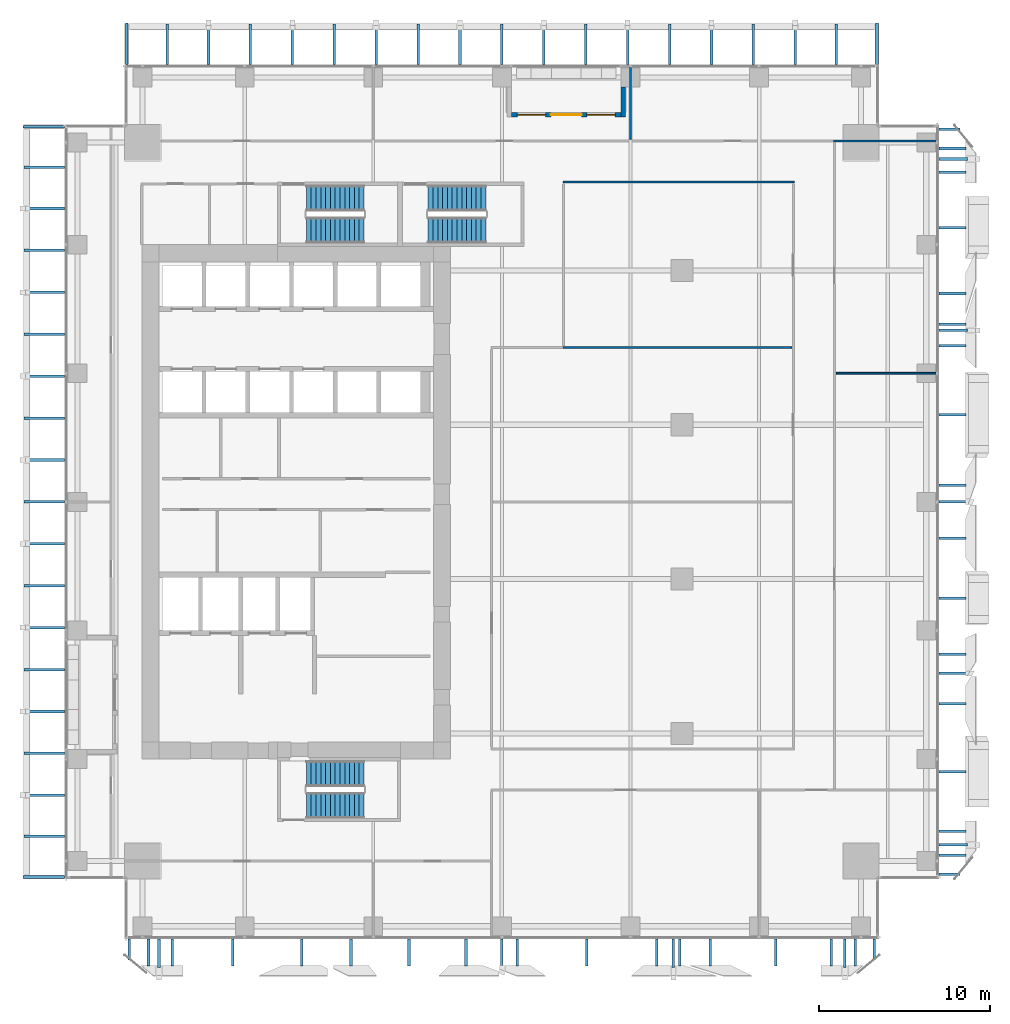
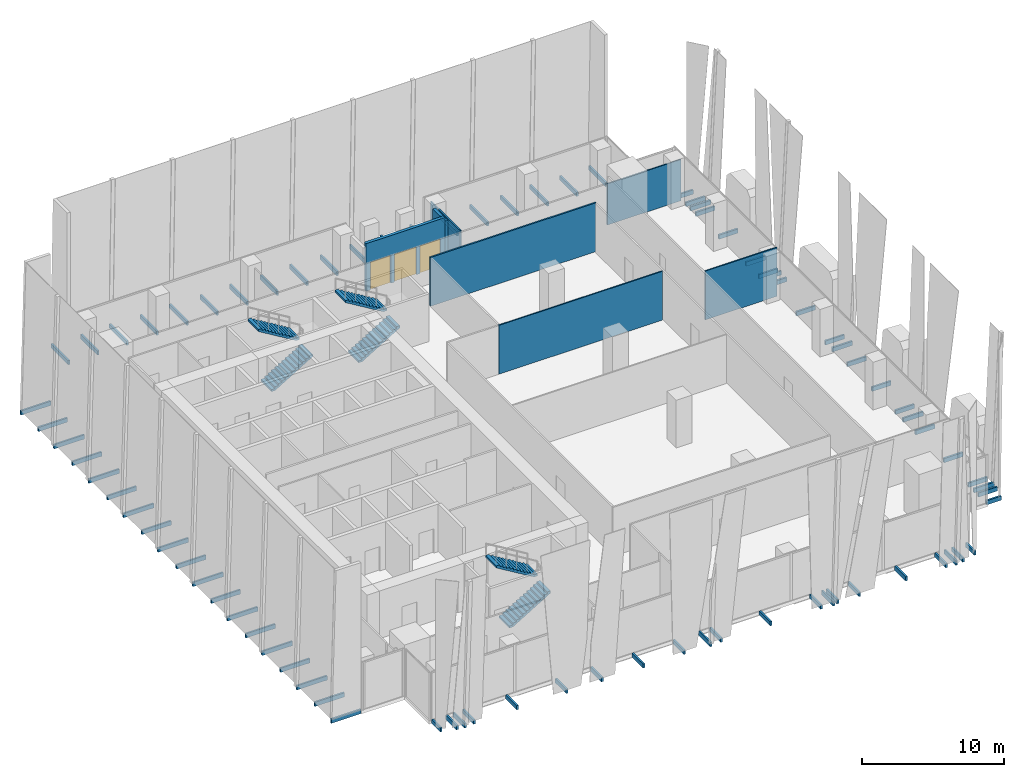
# One storey, part 29 of 34: 81 discrete accessories, 7 walls, 6 stair flights, 2 windows, 1 door, 3 openings, 3 elements without a shape of their own.
"""IFC4 building model written with IfcOpenShell, lengths in metres."""

from ifc_helpers import new_model, si_unit, direction, frame, frame_2d, origin, origin_2d, place, context, subcontext, project, spatial, polyline, rectangle, outline, extrude, source, transform, mapped, material, layer, layer_set, type_object, element, fill, aggregate, save


model = new_model("IFC4")

# Units and contexts
model_context = context("Model", 3, precision=1e-05, world=origin(), true_north=direction((0.0, 1.0)))
body_context = subcontext(model_context, "Body", "Model", "MODEL_VIEW")
ifc_project = project(units=[si_unit("LENGTHUNIT", "METRE"), si_unit("AREAUNIT", "SQUARE_METRE"), si_unit("VOLUMEUNIT", "CUBIC_METRE"), si_unit("PLANEANGLEUNIT", "RADIAN"), si_unit("MASSUNIT", "GRAM", prefix="KILO")], contexts=[model_context])

# Site, building, storey
site_placement = place(None, origin())
site = spatial("IfcSite", under=ifc_project, at=site_placement, CompositionType="ELEMENT")
building_placement = place(site_placement, origin())
building = spatial("IfcBuilding", under=site, at=building_placement, Name="Khomas Fold Tower", CompositionType="ELEMENT")
storey_placement = place(building_placement, frame((0.0, 0.0, 114.699951171875)))
storey = spatial("IfcBuildingStorey", under=building, at=storey_placement, Name="L24", CompositionType="ELEMENT", Elevation=114.699951171875)

# Wall, openings, door, windows
ifc_material_1 = material(Name="Natural stone", Category="masonry")
ifc_layer_1 = layer(ifc_material_1, 0.0400390625)
ifc_material_2 = material(Name="Mineral wool insulation", Category="insulation")
ifc_layer_2 = layer(ifc_material_2, 0.10009765625)
ifc_material_3 = material(Name="Masonry", Category="masonry")
ifc_layer_3 = layer(ifc_material_3, 0.110107421875)
ifc_layer_set_1 = layer_set([ifc_layer_1, ifc_layer_2, ifc_layer_3], Name="Stone-faced insulated masonry")
wall_type_1 = type_object("IfcWallType", Name="BL-Balcony wall", PredefinedType="SOLIDWALL", material=ifc_layer_set_1)
shared_shape_1 = source(origin(), body_context, "Body", "SweptSolid", [
    extrude(rectangle(XDim=6.39990234375, YDim=0.25, at=frame_2d((3.199951171875, 0.0))), origin(), (0.0, 0.0, 1.0), 4.10009765625),
])
wall_1_placement = place(storey_placement, frame((27.550048828125, 49.574951171875, 0.0), z_axis=(0.0, 0.0, 1.0), x_axis=(1.0, 0.0, 0.0)))
wall_1 = element("IfcWall", 1, at=wall_1_placement, inside=storey, type_object=wall_type_1, Name="Balcony wall BAL-L24-N3", PredefinedType="SOLIDWALL", context=body_context, shape_type="MappedRepresentation", body=[
    mapped(shared_shape_1, transform((0.0, 0.0, 0.0))),
])
shared_shape_2 = source(origin(), body_context, "Body", "SweptSolid", [
    extrude(rectangle(XDim=1.64990234375, YDim=2.39990234375, at=frame_2d((0.824951171875, 1.199951171875))), frame((0.0, 0.135009765625, 0.0), z_axis=(0.0, -1.0, 0.0), x_axis=(1.0, 0.0, 0.0)), (0.0, 0.0, 1.0), 0.27001953125),
])
opening_1_placement = place(wall_1_placement, frame((0.35009765625, 0.0, 0.0)))
opening_1 = element("IfcOpeningElement", 2, at=opening_1_placement, cuts=wall_1, Name="Opening BL-W2", PredefinedType="OPENING", context=body_context, shape_type="MappedRepresentation", body=[
    mapped(shared_shape_2, transform((0.0, 0.0, 0.0))),
])
opening_2_placement = place(wall_1_placement, frame((4.39990234375, 0.0, 0.0)))
opening_2 = element("IfcOpeningElement", 3, at=opening_2_placement, cuts=wall_1, Name="Opening BL-W2", PredefinedType="OPENING", context=body_context, shape_type="MappedRepresentation", body=[
    mapped(shared_shape_2, transform((0.0, 0.0, 0.0))),
])
shared_shape_3 = source(origin(), body_context, "Body", "SweptSolid", [
    extrude(rectangle(XDim=1.800048828125, YDim=2.39990234375, at=frame_2d((0.89990234375, 1.199951171875))), frame((0.0, 0.135009765625, 0.0), z_axis=(0.0, -1.0, 0.0), x_axis=(1.0, 0.0, 0.0)), (0.0, 0.0, 1.0), 0.27001953125),
])
opening_3_placement = place(wall_1_placement, frame((2.300048828125, 0.0, 0.0)))
opening_3 = element("IfcOpeningElement", 4, at=opening_3_placement, cuts=wall_1, Name="Opening BD241", PredefinedType="OPENING", context=body_context, shape_type="MappedRepresentation", body=[
    mapped(shared_shape_3, transform((0.0, 0.0, 0.0))),
])
ifc_material_4 = material(Name="Aluminium framed double glazing", Category="aluminium")
door_type = type_object("IfcDoorType", Name="BL-Glazed balcony door 1800 x 2400", OperationType="DOUBLE_DOOR_DOUBLE_SWING", PredefinedType="DOOR", material=ifc_material_4)
shared_shape_4 = source(origin(), body_context, "Body", "SweptSolid", [
    extrude(rectangle(XDim=1.800048828125, YDim=2.39990234375, at=frame_2d((0.89990234375, 1.199951171875))), frame((0.0, 0.02490234375, 0.0), z_axis=(0.0, -1.0, 0.0), x_axis=(1.0, 0.0, 0.0)), (0.0, 0.0, 1.0), 0.050048828125),
])
door_placement = place(opening_3_placement, origin())
door = element("IfcDoor", 5, at=door_placement, inside=storey, type_object=door_type, Name="Balcony door BD241", OperationType="DOUBLE_DOOR_DOUBLE_SWING", OverallHeight=2.39990234375, OverallWidth=1.800048828125, PredefinedType="DOOR", context=body_context, shape_type="MappedRepresentation", body=[
    mapped(shared_shape_4, transform((0.0, 0.0, 0.0))),
])
fill(opening_3, door)
ifc_material_5 = material(Name="Aluminium framed double glazing", Category="aluminium")
window_type = type_object("IfcWindowType", Name="BL-Fixed glazing 1650 x 2400", PartitioningType="SINGLE_PANEL", PredefinedType="WINDOW", material=ifc_material_5)
shared_shape_5 = source(origin(), body_context, "Body", "SweptSolid", [
    extrude(rectangle(XDim=1.64990234375, YDim=2.39990234375, at=frame_2d((0.824951171875, 1.199951171875))), frame((0.0, 0.030029296875, 0.0), z_axis=(0.0, -1.0, 0.0), x_axis=(1.0, 0.0, 0.0)), (0.0, 0.0, 1.0), 0.06005859375),
])
window_1_placement = place(opening_1_placement, origin())
window_1 = element("IfcWindow", 6, at=window_1_placement, inside=storey, type_object=window_type, Name="Balcony glazing BAL-L24-N3-1", OverallHeight=2.39990234375, OverallWidth=1.64990234375, PartitioningType="SINGLE_PANEL", PredefinedType="WINDOW", context=body_context, shape_type="MappedRepresentation", body=[
    mapped(shared_shape_5, transform((0.0, 0.0, 0.0))),
])
fill(opening_1, window_1)
window_2_placement = place(opening_2_placement, origin())
window_2 = element("IfcWindow", 7, at=window_2_placement, inside=storey, type_object=window_type, Name="Balcony glazing BAL-L24-N3-2", OverallHeight=2.39990234375, OverallWidth=1.64990234375, PartitioningType="SINGLE_PANEL", PredefinedType="WINDOW", context=body_context, shape_type="MappedRepresentation", body=[
    mapped(shared_shape_5, transform((0.0, 0.0, 0.0))),
])
fill(opening_2, window_2)

# Walls
shared_shape_6 = source(origin(), body_context, "Body", "SweptSolid", [
    extrude(rectangle(XDim=1.75, YDim=0.25, at=frame_2d((0.875, 0.0))), origin(), (0.0, 0.0, 1.0), 3.800048828125),
])
wall_2_placement = place(storey_placement, frame((34.074951171875, 51.199951171875, 0.0), z_axis=(0.0, 0.0, 1.0), x_axis=(0.0, -1.0, 0.0)))
element("IfcWall", 8, at=wall_2_placement, inside=storey, type_object=wall_type_1, Name="Balcony return wall BAL-L24-N3-hi", PredefinedType="SOLIDWALL", context=body_context, shape_type="MappedRepresentation", body=[
    mapped(shared_shape_6, transform((0.0, 0.0, 0.0))),
])
ifc_material_6 = material(Name="Plasterboard partition")
ifc_layer_4 = layer(ifc_material_6, 0.10009765625)
ifc_layer_set_2 = layer_set([ifc_layer_4], Name="Plasterboard partition")
wall_type_2 = type_object("IfcWallType", Name="Partition PW1 100", PredefinedType="PARTITIONING", material=ifc_layer_set_2)
shared_shape_7 = source(origin(), body_context, "Body", "SweptSolid", [
    extrude(rectangle(XDim=5.85009765625, YDim=0.10009765625, at=frame_2d((2.925048828125, 0.0))), origin(), (0.0, 0.0, 1.0), 4.199951171875),
])
wall_3_placement = place(storey_placement, frame((46.5, 34.5, 0.0), z_axis=(0.0, 0.0, 1.0), x_axis=(1.0, 0.0, 0.0)))
element("IfcWall", 9, at=wall_3_placement, inside=storey, type_object=wall_type_2, Name="Partition", PredefinedType="PARTITIONING", context=body_context, shape_type="MappedRepresentation", body=[
    mapped(shared_shape_7, transform((0.0, 0.0, 0.0))),
])
shared_shape_8 = source(origin(), body_context, "Body", "SweptSolid", [
    extrude(rectangle(XDim=13.349853515625, YDim=0.10009765625, at=frame_2d((6.6748046875, 0.0))), origin(), (0.0, 0.0, 1.0), 4.199951171875),
])
wall_4_placement = place(storey_placement, frame((30.550048828125, 36.0, 0.0), z_axis=(0.0, 0.0, 1.0), x_axis=(1.0, 0.0, 0.0)))
element("IfcWall", 10, at=wall_4_placement, inside=storey, type_object=wall_type_2, Name="Partition", PredefinedType="PARTITIONING", context=body_context, shape_type="MappedRepresentation", body=[
    mapped(shared_shape_8, transform((0.0, 0.0, 0.0))),
])
ifc_material_7 = material(Name="Plasterboard partition")
ifc_layer_5 = layer(ifc_material_7, 0.125)
ifc_layer_set_3 = layer_set([ifc_layer_5], Name="Plasterboard partition")
wall_type_3 = type_object("IfcWallType", Name="Partition PW2 125", PredefinedType="PARTITIONING", material=ifc_layer_set_3)
shared_shape_9 = source(origin(), body_context, "Body", "SweptSolid", [
    extrude(rectangle(XDim=13.5, YDim=0.125, at=frame_2d((6.75, 0.0))), origin(), (0.0, 0.0, 1.0), 4.199951171875),
])
wall_5_placement = place(storey_placement, frame((30.550048828125, 45.64990234375, 0.0), z_axis=(0.0, 0.0, 1.0), x_axis=(1.0, 0.0, 0.0)))
element("IfcWall", 11, at=wall_5_placement, inside=storey, type_object=wall_type_3, Name="Partition", PredefinedType="PARTITIONING", context=body_context, shape_type="MappedRepresentation", body=[
    mapped(shared_shape_9, transform((0.0, 0.0, 0.0))),
])
shared_shape_10 = source(origin(), body_context, "Body", "SweptSolid", [
    extrude(rectangle(XDim=6.0, YDim=0.10009765625, at=frame_2d((3.0, 0.0))), origin(), (0.0, 0.0, 1.0), 3.550048828125),
])
wall_6_placement = place(storey_placement, frame((46.35009765625, 48.050048828125, 0.0), z_axis=(0.0, 0.0, 1.0), x_axis=(1.0, 0.0, 0.0)))
element("IfcWall", 12, at=wall_6_placement, inside=storey, type_object=wall_type_2, Name="Partition", PredefinedType="PARTITIONING", context=body_context, shape_type="MappedRepresentation", body=[
    mapped(shared_shape_10, transform((0.0, 0.0, 0.0))),
])
shared_shape_11 = source(origin(), body_context, "Body", "SweptSolid", [
    extrude(rectangle(XDim=4.2001953125, YDim=0.10009765625, at=frame_2d((2.10009765625, 0.0))), origin(), (0.0, 0.0, 1.0), 3.60009765625),
])
wall_7_placement = place(storey_placement, frame((34.5, 48.14990234375, 0.0), z_axis=(0.0, 0.0, 1.0), x_axis=(0.0, 1.0, 0.0)))
element("IfcWall", 13, at=wall_7_placement, inside=storey, type_object=wall_type_2, Name="Partition", PredefinedType="PARTITIONING", context=body_context, shape_type="MappedRepresentation", body=[
    mapped(shared_shape_11, transform((0.0, 0.0, 0.0))),
])

# Stair, stair flights
ifc_material_8 = material(Name="Concrete C40/50", Category="concrete")
stair_type_1 = type_object("IfcStairType", Name="Stair ST1", PredefinedType="HALF_TURN_STAIR", material=ifc_material_8)
stair_1_placement = place(storey_placement, origin())
stair_1 = element("IfcStair", 14, at=stair_1_placement, inside=storey, type_object=stair_type_1, Name="L24 ST1", PredefinedType="HALF_TURN_STAIR")
ifc_material_9 = material(Name="Concrete C40/50", Category="concrete")
stair_flight_type_1 = type_object("IfcStairFlightType", Name="Stair flight 1500 ST1", PredefinedType="STRAIGHT", material=ifc_material_9)
shared_shape_12 = source(origin(), body_context, "Body", "SweptSolid", [
    extrude(outline(polyline([(0.0, 0.0), (0.0, 0.012939453125), (0.0, 0.026123046875), (0.0, 0.0390625), (0.0, 0.052001953125), (0.0, 0.065185546875), (0.0, 0.078125), (0.0, 0.091064453125), (0.0, 0.104248046875), (0.0, 0.1171875), (0.0, 0.130126953125), (0.0, 0.143310546875), (0.0, 0.15625), (0.0, 0.169189453125), (0.280029296875, 0.169189453125), (0.280029296875, 0.33837890625), (0.56005859375, 0.33837890625), (0.56005859375, 0.5078125), (0.840087890625, 0.5078125), (0.840087890625, 0.677001953125), (1.1201171875, 0.677001953125), (1.1201171875, 0.84619140625), (1.39990234375, 0.84619140625), (1.39990234375, 1.015380859375), (1.679931640625, 1.015380859375), (1.679931640625, 1.1845703125), (1.9599609375, 1.1845703125), (1.9599609375, 1.353759765625), (2.239990234375, 1.353759765625), (2.239990234375, 1.523193359375), (2.52001953125, 1.523193359375), (2.52001953125, 1.6923828125), (2.800048828125, 1.6923828125), (2.800048828125, 1.861572265625), (3.080078125, 1.861572265625), (3.080078125, 2.03076171875), (3.360107421875, 2.03076171875), (3.360107421875, 2.199951171875), (3.360107421875, 2.173583984375), (3.360107421875, 2.14697265625), (3.360107421875, 2.12060546875), (3.360107421875, 2.093994140625), (3.360107421875, 2.067626953125), (3.360107421875, 2.041015625), (3.360107421875, 2.0146484375), (3.360107421875, 1.988037109375), (3.360107421875, 1.961669921875), (3.360107421875, 1.93505859375), (3.360107421875, 1.90869140625), (3.360107421875, 1.882080078125), (3.360107421875, 1.855712890625), (0.289794921875, 0.0), (0.0, 0.0)])), frame((0.0, 0.75, 0.0), z_axis=(0.0, -1.0, 0.0), x_axis=(1.0, 0.0, 0.0)), (0.0, 0.0, 1.0), 1.5),
])
stair_flight_1_placement = place(storey_placement, frame((15.60009765625, 42.85009765625, 0.0), z_axis=(0.0, 0.0, 1.0), x_axis=(1.0, 0.0, 0.0)))
stair_flight_1 = element("IfcStairFlight", 15, at=stair_flight_1_placement, type_object=stair_flight_type_1, Name="ST1 flight 1", NumberOfRisers=13, NumberOfTreads=12, PredefinedType="STRAIGHT", RiserHeight=0.169230769, TreadLength=0.28, context=body_context, shape_type="MappedRepresentation", body=[
    mapped(shared_shape_12, transform((0.0, 0.0, 0.0))),
])
stair_flight_2_placement = place(storey_placement, frame((18.9599609375, 44.699951171875, 2.199951171875), z_axis=(0.0, 0.0, 1.0), x_axis=(-1.0, 0.0, 0.0)))
stair_flight_2 = element("IfcStairFlight", 16, at=stair_flight_2_placement, type_object=stair_flight_type_1, Name="ST1 flight 2", NumberOfRisers=13, NumberOfTreads=12, PredefinedType="STRAIGHT", RiserHeight=0.169230769, TreadLength=0.28, context=body_context, shape_type="MappedRepresentation", body=[
    mapped(shared_shape_12, transform((0.0, 0.0, 0.0))),
])
aggregate(stair_1, [stair_flight_1, stair_flight_2])

ifc_material_10 = material(Name="Concrete C40/50", Category="concrete")
stair_type_2 = type_object("IfcStairType", Name="Stair ST2", PredefinedType="HALF_TURN_STAIR", material=ifc_material_10)
stair_2_placement = place(storey_placement, origin())
stair_2 = element("IfcStair", 17, at=stair_2_placement, inside=storey, type_object=stair_type_2, Name="L24 ST2", PredefinedType="HALF_TURN_STAIR")
ifc_material_11 = material(Name="Concrete C40/50", Category="concrete")
stair_flight_type_2 = type_object("IfcStairFlightType", Name="Stair flight 1500 ST2", PredefinedType="STRAIGHT", material=ifc_material_11)
stair_flight_3_placement = place(storey_placement, frame((15.60009765625, 9.300048828125, 0.0), z_axis=(0.0, 0.0, 1.0), x_axis=(1.0, 0.0, 0.0)))
stair_flight_3 = element("IfcStairFlight", 18, at=stair_flight_3_placement, type_object=stair_flight_type_2, Name="ST2 flight 1", NumberOfRisers=13, NumberOfTreads=12, PredefinedType="STRAIGHT", RiserHeight=0.169230769, TreadLength=0.28, context=body_context, shape_type="MappedRepresentation", body=[
    mapped(shared_shape_12, transform((0.0, 0.0, 0.0))),
])
stair_flight_4_placement = place(storey_placement, frame((18.9599609375, 11.14990234375, 2.199951171875), z_axis=(0.0, 0.0, 1.0), x_axis=(-1.0, 0.0, 0.0)))
stair_flight_4 = element("IfcStairFlight", 19, at=stair_flight_4_placement, type_object=stair_flight_type_2, Name="ST2 flight 2", NumberOfRisers=13, NumberOfTreads=12, PredefinedType="STRAIGHT", RiserHeight=0.169230769, TreadLength=0.28, context=body_context, shape_type="MappedRepresentation", body=[
    mapped(shared_shape_12, transform((0.0, 0.0, 0.0))),
])
aggregate(stair_2, [stair_flight_3, stair_flight_4])

ifc_material_12 = material(Name="Concrete C40/50", Category="concrete")
stair_type_3 = type_object("IfcStairType", Name="Stair ST3", PredefinedType="HALF_TURN_STAIR", material=ifc_material_12)
stair_3_placement = place(storey_placement, origin())
stair_3 = element("IfcStair", 20, at=stair_3_placement, inside=storey, type_object=stair_type_3, Name="L24 ST3", PredefinedType="HALF_TURN_STAIR")
ifc_material_13 = material(Name="Concrete C40/50", Category="concrete")
stair_flight_type_3 = type_object("IfcStairFlightType", Name="Stair flight 1500 ST3", PredefinedType="STRAIGHT", material=ifc_material_13)
stair_flight_5_placement = place(storey_placement, frame((22.699951171875, 42.85009765625, 0.0), z_axis=(0.0, 0.0, 1.0), x_axis=(1.0, 0.0, 0.0)))
stair_flight_5 = element("IfcStairFlight", 21, at=stair_flight_5_placement, type_object=stair_flight_type_3, Name="ST3 flight 1", NumberOfRisers=13, NumberOfTreads=12, PredefinedType="STRAIGHT", RiserHeight=0.169230769, TreadLength=0.28, context=body_context, shape_type="MappedRepresentation", body=[
    mapped(shared_shape_12, transform((0.0, 0.0, 0.0))),
])
stair_flight_6_placement = place(storey_placement, frame((26.06005859375, 44.699951171875, 2.199951171875), z_axis=(0.0, 0.0, 1.0), x_axis=(-1.0, 0.0, 0.0)))
stair_flight_6 = element("IfcStairFlight", 22, at=stair_flight_6_placement, type_object=stair_flight_type_3, Name="ST3 flight 2", NumberOfRisers=13, NumberOfTreads=12, PredefinedType="STRAIGHT", RiserHeight=0.169230769, TreadLength=0.28, context=body_context, shape_type="MappedRepresentation", body=[
    mapped(shared_shape_12, transform((0.0, 0.0, 0.0))),
])
aggregate(stair_3, [stair_flight_5, stair_flight_6])

# Discrete accessories
ifc_material_14 = material(Name="Stainless steel", Category="steel")
discrete_accessory_type = type_object("IfcDiscreteAccessoryType", Name="SK-Stainless steel stone bracket", PredefinedType="BRACKET", material=ifc_material_14)
shared_shape_13 = source(origin(), body_context, "Body", "SweptSolid", [
    extrude(rectangle(XDim=1.552978515625, YDim=0.14990234375, at=origin_2d()), origin(), (0.0, 0.0, 1.0), 0.360107421875),
])
for number, where, z_axis, x_axis, name in (
    (23, (11.300537109375, 0.723388671875, -0.2998046875), (0.0, 0.0, 1.0), (0.0, -1.0, 0.0), "Stone bracket L24 SS03-1-4"),
    (24, (21.58349609375, 0.723388671875, -0.2998046875), (0.0, 0.0, 1.0), (0.0, -1.0, 0.0), "Stone bracket L24 SS06-2-4"),
    (25, (31.939208984375, 0.723388671875, -0.2998046875), (0.0, 0.0, 1.0), (0.0, -1.0, 0.0), "Stone bracket L24 SS09-3-4"),
    (26, (42.969482421875, 0.723388671875, -0.2998046875), (0.0, 0.0, 1.0), (0.0, -1.0, 0.0), "Stone bracket L24 SS12-4-4"),
    (27, (53.276611328125, 11.271240234375, -0.2998046875), (0.0, 0.0, 1.0), (1.0, 0.0, 0.0), "Stone bracket L24 ES03-1-1"),
    (28, (53.276611328125, 21.389892578125, -0.2998046875), (0.0, 0.0, 1.0), (1.0, 0.0, 0.0), "Stone bracket L24 ES06-2-1"),
    (29, (53.276611328125, 32.0810546875, -0.2998046875), (0.0, 0.0, 1.0), (1.0, 0.0, 0.0), "Stone bracket L24 ES09-3-1"),
    (30, (53.276611328125, 42.99560546875, -0.2998046875), (0.0, 0.0, 1.0), (1.0, 0.0, 0.0), "Stone bracket L24 ES12-4-1"),
    (31, (6.39111328125, 0.723388671875, -0.2998046875), (0.0, 0.0, 1.0), (0.0, -1.0, 0.0), "Stone bracket L24 SG098-1-1"),
    (32, (7.784912109375, 0.723388671875, -0.2998046875), (0.0, 0.0, 1.0), (0.0, -1.0, 0.0), "Stone bracket L24 SG099-3-1"),
    (33, (18.197265625, 0.723388671875, -0.2998046875), (0.0, 0.0, 1.0), (0.0, -1.0, 0.0), "Stone bracket L24 SG101-5-1"),
    (34, (15.328369140625, 0.723388671875, -0.2998046875), (0.0, 0.0, 1.0), (0.0, -1.0, 0.0), "Stone bracket L24 SG100-6-1"),
    (35, (27.90283203125, 0.723388671875, -0.2998046875), (0.0, 0.0, 1.0), (0.0, -1.0, 0.0), "Stone bracket L24 SG103-8-1"),
    (36, (24.906005859375, 0.723388671875, -0.2998046875), (0.0, 0.0, 1.0), (0.0, -1.0, 0.0), "Stone bracket L24 SG102-9-1"),
    (37, (39.155517578125, 0.723388671875, -0.2998046875), (0.0, 0.0, 1.0), (0.0, -1.0, 0.0), "Stone bracket L24 SG105-10-1"),
    (38, (36.036376953125, 0.723388671875, -0.2998046875), (0.0, 0.0, 1.0), (0.0, -1.0, 0.0), "Stone bracket L24 SG104-11-1"),
    (39, (37.372802734375, 0.723388671875, -0.2998046875), (0.0, 0.0, 1.0), (0.0, -1.0, 0.0), "Stone bracket L24 SG105-13-1"),
    (40, (46.215087890625, 0.723388671875, -0.2998046875), (0.0, 0.0, 1.0), (0.0, -1.0, 0.0), "Stone bracket L24 SG106-14-1"),
    (41, (47.60888671875, 0.723388671875, -0.2998046875), (0.0, 0.0, 1.0), (0.0, -1.0, 0.0), "Stone bracket L24 SG107-16-1"),
    (42, (53.276611328125, 6.39111328125, -0.2998046875), (0.0, 0.0, 1.0), (1.0, 0.0, 0.0), "Stone bracket L24 EG098-1-1"),
    (43, (53.276611328125, 7.784912109375, -0.2998046875), (0.0, 0.0, 1.0), (1.0, 0.0, 0.0), "Stone bracket L24 EG099-3-1"),
    (44, (53.276611328125, 18.10546875, -0.2998046875), (0.0, 0.0, 1.0), (1.0, 0.0, 0.0), "Stone bracket L24 EG101-6-1"),
    (45, (53.276611328125, 15.236572265625, -0.2998046875), (0.0, 0.0, 1.0), (1.0, 0.0, 0.0), "Stone bracket L24 EG100-7-1"),
    (46, (53.276611328125, 27.96875, -0.2998046875), (0.0, 0.0, 1.0), (1.0, 0.0, 0.0), "Stone bracket L24 EG103-9-1"),
    (47, (53.276611328125, 24.880126953125, -0.2998046875), (0.0, 0.0, 1.0), (1.0, 0.0, 0.0), "Stone bracket L24 EG102-10-1"),
    (48, (53.276611328125, 39.155517578125, -0.2998046875), (0.0, 0.0, 1.0), (1.0, 0.0, 0.0), "Stone bracket L24 EG105-11-1"),
    (49, (53.276611328125, 36.102294921875, -0.2998046875), (0.0, 0.0, 1.0), (1.0, 0.0, 0.0), "Stone bracket L24 EG104-12-1"),
    (50, (53.276611328125, 37.372802734375, -0.2998046875), (0.0, 0.0, 1.0), (1.0, 0.0, 0.0), "Stone bracket L24 EG105-14-1"),
    (51, (53.276611328125, 46.215087890625, -0.2998046875), (0.0, 0.0, 1.0), (1.0, 0.0, 0.0), "Stone bracket L24 EG106-15-1"),
    (52, (53.276611328125, 47.60888671875, -0.2998046875), (0.0, 0.0, 1.0), (1.0, 0.0, 0.0), "Stone bracket L24 EG107-17-1"),
):
    element("IfcDiscreteAccessory", number, at=place(storey_placement, frame(where, z_axis=z_axis, x_axis=x_axis)), inside=storey, type_object=discrete_accessory_type, Name=name, PredefinedType="BRACKET", context=body_context, shape_type="MappedRepresentation", body=[
        mapped(shared_shape_13, transform((0.0, 0.0, 0.0))),
    ])
shared_shape_14 = source(origin(), body_context, "Body", "SweptSolid", [
    extrude(rectangle(XDim=1.64794921875, YDim=0.14990234375, at=origin_2d()), origin(), (0.0, 0.0, 1.0), 0.360107421875),
])
for number, where, z_axis, x_axis, name in (
    (53, (7.0, 0.676025390625, -0.2998046875), (0.0, 0.0, 1.0), (0.0, -1.0, 0.0), "Stone bracket L24 SM099-2-1"),
    (54, (27.0, 0.676025390625, -0.2998046875), (0.0, 0.0, 1.0), (0.0, -1.0, 0.0), "Stone bracket L24 SM103-7-1"),
    (55, (37.0, 0.676025390625, -0.2998046875), (0.0, 0.0, 1.0), (0.0, -1.0, 0.0), "Stone bracket L24 SM105-12-1"),
    (56, (47.0, 0.676025390625, -0.2998046875), (0.0, 0.0, 1.0), (0.0, -1.0, 0.0), "Stone bracket L24 SM107-15-1"),
    (57, (53.323974609375, 7.0, -0.2998046875), (0.0, 0.0, 1.0), (1.0, 0.0, 0.0), "Stone bracket L24 EM099-2-1"),
    (58, (53.323974609375, 17.0, -0.2998046875), (0.0, 0.0, 1.0), (1.0, 0.0, 0.0), "Stone bracket L24 EM101-5-1"),
    (59, (53.323974609375, 27.0, -0.2998046875), (0.0, 0.0, 1.0), (1.0, 0.0, 0.0), "Stone bracket L24 EM103-8-1"),
    (60, (53.323974609375, 37.0, -0.2998046875), (0.0, 0.0, 1.0), (1.0, 0.0, 0.0), "Stone bracket L24 EM105-13-1"),
    (61, (53.323974609375, 47.0, -0.2998046875), (0.0, 0.0, 1.0), (1.0, 0.0, 0.0), "Stone bracket L24 EM107-16-1"),
):
    element("IfcDiscreteAccessory", number, at=place(storey_placement, frame(where, z_axis=z_axis, x_axis=x_axis)), inside=storey, type_object=discrete_accessory_type, Name=name, PredefinedType="BRACKET", context=body_context, shape_type="MappedRepresentation", body=[
        mapped(shared_shape_14, transform((0.0, 0.0, 0.0))),
    ])
shared_shape_15 = source(origin(), body_context, "Body", "SweptSolid", [
    extrude(rectangle(XDim=1.218994140625, YDim=0.14990234375, at=origin_2d()), origin(), (0.0, 0.0, 1.0), 0.360107421875),
])
for number, where, z_axis, x_axis, name in (
    (62, (5.27783203125, 0.890625, -0.2998046875), (0.0, 0.0, 1.0), (0.0, -1.0, 0.0), "Stone bracket L24 SG098-4-1"),
    (63, (48.72216796875, 0.890625, -0.2998046875), (0.0, 0.0, 1.0), (0.0, -1.0, 0.0), "Stone bracket L24 SG107-17-1"),
    (64, (53.109375, 5.27783203125, -0.2998046875), (0.0, 0.0, 1.0), (1.0, 0.0, 0.0), "Stone bracket L24 EG098-4-1"),
    (65, (53.109375, 48.72216796875, -0.2998046875), (0.0, 0.0, 1.0), (1.0, 0.0, 0.0), "Stone bracket L24 EG107-18-1"),
):
    element("IfcDiscreteAccessory", number, at=place(storey_placement, frame(where, z_axis=z_axis, x_axis=x_axis)), inside=storey, type_object=discrete_accessory_type, Name=name, PredefinedType="BRACKET", context=body_context, shape_type="MappedRepresentation", body=[
        mapped(shared_shape_15, transform((0.0, 0.0, 0.0))),
    ])
shared_shape_16 = source(origin(), body_context, "Body", "SweptSolid", [
    extrude(rectangle(XDim=2.378662109375, YDim=0.14990234375, at=origin_2d()), origin(), (0.0, 0.0, 1.0), 0.360107421875),
])
for number, where, z_axis, x_axis, name in (
    (66, (7.494384765625, 53.689208984375, -0.2998046875), (0.0, 0.0, 1.0), (0.0, 1.0, 0.0), "Stone bracket L24 PLNG01"),
    (67, (12.333251953125, 53.689208984375, -0.2998046875), (0.0, 0.0, 1.0), (0.0, 1.0, 0.0), "Stone bracket L24 PLNG03"),
    (68, (17.22216796875, 53.689208984375, -0.2998046875), (0.0, 0.0, 1.0), (0.0, 1.0, 0.0), "Stone bracket L24 PLNG05"),
    (69, (22.111083984375, 53.689208984375, -0.2998046875), (0.0, 0.0, 1.0), (0.0, 1.0, 0.0), "Stone bracket L24 PLNG07"),
    (70, (27.0, 53.689208984375, -0.2998046875), (0.0, 0.0, 1.0), (0.0, 1.0, 0.0), "Stone bracket L24 PLNG09"),
    (71, (31.888916015625, 53.689208984375, -0.2998046875), (0.0, 0.0, 1.0), (0.0, 1.0, 0.0), "Stone bracket L24 PLNG11"),
    (72, (36.77783203125, 53.689208984375, -0.2998046875), (0.0, 0.0, 1.0), (0.0, 1.0, 0.0), "Stone bracket L24 PLNG13"),
    (73, (41.666748046875, 53.689208984375, -0.2998046875), (0.0, 0.0, 1.0), (0.0, 1.0, 0.0), "Stone bracket L24 PLNG15"),
    (74, (46.505615234375, 53.689208984375, -0.2998046875), (0.0, 0.0, 1.0), (0.0, 1.0, 0.0), "Stone bracket L24 PLNG17"),
    (75, (0.310791015625, 7.494384765625, -0.2998046875), (0.0, 0.0, 1.0), (-1.0, 0.0, 0.0), "Stone bracket L24 PLWG01"),
    (76, (0.310791015625, 12.333251953125, -0.2998046875), (0.0, 0.0, 1.0), (-1.0, 0.0, 0.0), "Stone bracket L24 PLWG03"),
    (77, (0.310791015625, 17.22216796875, -0.2998046875), (0.0, 0.0, 1.0), (-1.0, 0.0, 0.0), "Stone bracket L24 PLWG05"),
    (78, (0.310791015625, 22.111083984375, -0.2998046875), (0.0, 0.0, 1.0), (-1.0, 0.0, 0.0), "Stone bracket L24 PLWG07"),
    (79, (0.310791015625, 27.0, -0.2998046875), (0.0, 0.0, 1.0), (-1.0, 0.0, 0.0), "Stone bracket L24 PLWG09"),
    (80, (0.310791015625, 31.888916015625, -0.2998046875), (0.0, 0.0, 1.0), (-1.0, 0.0, 0.0), "Stone bracket L24 PLWG11"),
    (81, (0.310791015625, 36.77783203125, -0.2998046875), (0.0, 0.0, 1.0), (-1.0, 0.0, 0.0), "Stone bracket L24 PLWG13"),
    (82, (0.310791015625, 41.666748046875, -0.2998046875), (0.0, 0.0, 1.0), (-1.0, 0.0, 0.0), "Stone bracket L24 PLWG15"),
    (83, (0.310791015625, 46.505615234375, -0.2998046875), (0.0, 0.0, 1.0), (-1.0, 0.0, 0.0), "Stone bracket L24 PLWG17"),
):
    element("IfcDiscreteAccessory", number, at=place(storey_placement, frame(where, z_axis=z_axis, x_axis=x_axis)), inside=storey, type_object=discrete_accessory_type, Name=name, PredefinedType="BRACKET", context=body_context, shape_type="MappedRepresentation", body=[
        mapped(shared_shape_16, transform((0.0, 0.0, 0.0))),
    ])
shared_shape_17 = source(origin(), body_context, "Body", "SweptSolid", [
    extrude(rectangle(XDim=2.4736328125, YDim=0.14990234375, at=origin_2d()), origin(), (0.0, 0.0, 1.0), 0.360107421875),
])
for number, where, z_axis, x_axis, name in (
    (84, (9.888916015625, 53.73681640625, -0.2998046875), (0.0, 0.0, 1.0), (0.0, 1.0, 0.0), "Stone bracket L24 PLNM02"),
    (85, (14.77783203125, 53.73681640625, -0.2998046875), (0.0, 0.0, 1.0), (0.0, 1.0, 0.0), "Stone bracket L24 PLNM04"),
    (86, (19.666748046875, 53.73681640625, -0.2998046875), (0.0, 0.0, 1.0), (0.0, 1.0, 0.0), "Stone bracket L24 PLNM06"),
    (87, (24.5556640625, 53.73681640625, -0.2998046875), (0.0, 0.0, 1.0), (0.0, 1.0, 0.0), "Stone bracket L24 PLNM08"),
    (88, (29.4443359375, 53.73681640625, -0.2998046875), (0.0, 0.0, 1.0), (0.0, 1.0, 0.0), "Stone bracket L24 PLNM10"),
    (89, (34.333251953125, 53.73681640625, -0.2998046875), (0.0, 0.0, 1.0), (0.0, 1.0, 0.0), "Stone bracket L24 PLNM12"),
    (90, (39.22216796875, 53.73681640625, -0.2998046875), (0.0, 0.0, 1.0), (0.0, 1.0, 0.0), "Stone bracket L24 PLNM14"),
    (91, (44.111083984375, 53.73681640625, -0.2998046875), (0.0, 0.0, 1.0), (0.0, 1.0, 0.0), "Stone bracket L24 PLNM16"),
    (92, (0.26318359375, 9.888916015625, -0.2998046875), (0.0, 0.0, 1.0), (-1.0, 0.0, 0.0), "Stone bracket L24 PLWM02"),
    (93, (0.26318359375, 14.77783203125, -0.2998046875), (0.0, 0.0, 1.0), (-1.0, 0.0, 0.0), "Stone bracket L24 PLWM04"),
    (94, (0.26318359375, 19.666748046875, -0.2998046875), (0.0, 0.0, 1.0), (-1.0, 0.0, 0.0), "Stone bracket L24 PLWM06"),
    (95, (0.26318359375, 24.5556640625, -0.2998046875), (0.0, 0.0, 1.0), (-1.0, 0.0, 0.0), "Stone bracket L24 PLWM08"),
    (96, (0.26318359375, 29.4443359375, -0.2998046875), (0.0, 0.0, 1.0), (-1.0, 0.0, 0.0), "Stone bracket L24 PLWM10"),
    (97, (0.26318359375, 34.333251953125, -0.2998046875), (0.0, 0.0, 1.0), (-1.0, 0.0, 0.0), "Stone bracket L24 PLWM12"),
    (98, (0.26318359375, 39.22216796875, -0.2998046875), (0.0, 0.0, 1.0), (-1.0, 0.0, 0.0), "Stone bracket L24 PLWM14"),
    (99, (0.26318359375, 44.111083984375, -0.2998046875), (0.0, 0.0, 1.0), (-1.0, 0.0, 0.0), "Stone bracket L24 PLWM16"),
):
    element("IfcDiscreteAccessory", number, at=place(storey_placement, frame(where, z_axis=z_axis, x_axis=x_axis)), inside=storey, type_object=discrete_accessory_type, Name=name, PredefinedType="BRACKET", context=body_context, shape_type="MappedRepresentation", body=[
        mapped(shared_shape_17, transform((0.0, 0.0, 0.0))),
    ])
shared_shape_18 = source(origin(), body_context, "Body", "SweptSolid", [
    extrude(rectangle(XDim=2.41845703125, YDim=0.14990234375, at=origin_2d()), origin(), (0.0, 0.0, 1.0), 0.360107421875),
])
for number, where, z_axis, x_axis, name in (
    (100, (5.125, 53.709228515625, -0.2998046875), (0.0, 0.0, 1.0), (0.0, 1.0, 0.0), "Stone bracket L24 PLNR1"),
    (101, (48.875, 53.709228515625, -0.2998046875), (0.0, 0.0, 1.0), (0.0, 1.0, 0.0), "Stone bracket L24 PLNR2"),
    (102, (0.290771484375, 5.125, -0.2998046875), (0.0, 0.0, 1.0), (-1.0, 0.0, 0.0), "Stone bracket L24 PLWR1"),
    (103, (0.290771484375, 48.875, -0.2998046875), (0.0, 0.0, 1.0), (-1.0, 0.0, 0.0), "Stone bracket L24 PLWR2"),
):
    element("IfcDiscreteAccessory", number, at=place(storey_placement, frame(where, z_axis=z_axis, x_axis=x_axis)), inside=storey, type_object=discrete_accessory_type, Name=name, PredefinedType="BRACKET", context=body_context, shape_type="MappedRepresentation", body=[
        mapped(shared_shape_18, transform((0.0, 0.0, 0.0))),
    ])

save(model, "model.ifc")
